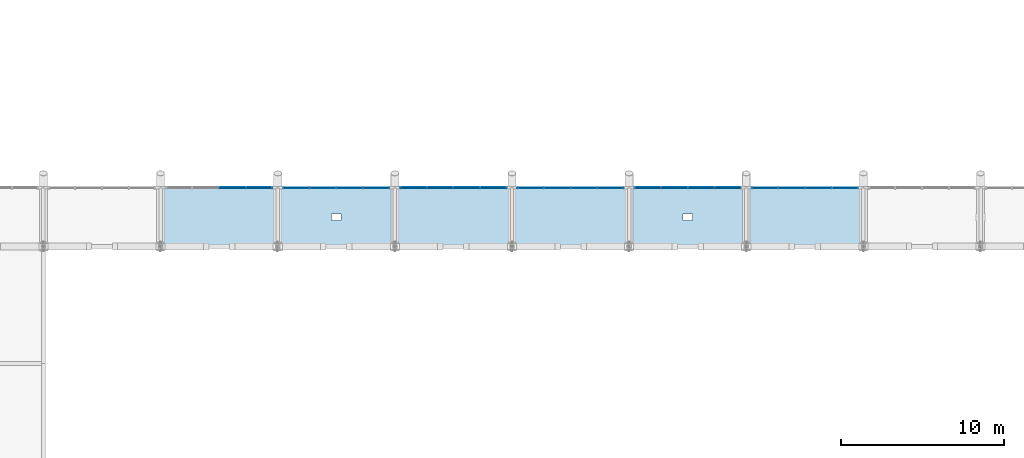
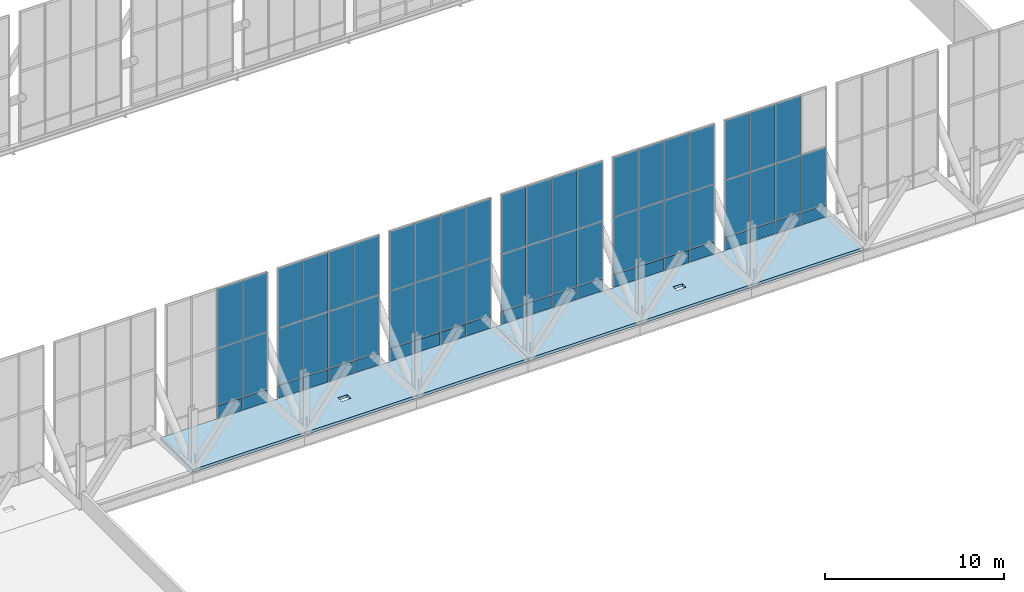
# One storey, part 76 of 102: 65 plates, 2 slabs, 6 elements without a shape of their own.
"""IFC4 building model written with IfcOpenShell, lengths in metres."""

from ifc_helpers import new_model, si_unit, direction, frame, origin, origin_2d, place, context, subcontext, project, spatial, polyline, rectangle, outline, extrude, material, layer, layer_set, type_object, element, aggregate, save


model = new_model("IFC4")

# Units and contexts
model_context = context("Model", 3, precision=1e-05, world=origin(), true_north=direction((0.0, 1.0)))
body_context = subcontext(model_context, "Body", "Model", "MODEL_VIEW")
ifc_project = project(units=[si_unit("LENGTHUNIT", "METRE"), si_unit("AREAUNIT", "SQUARE_METRE"), si_unit("VOLUMEUNIT", "CUBIC_METRE"), si_unit("PLANEANGLEUNIT", "RADIAN"), si_unit("MASSUNIT", "GRAM", prefix="KILO")], contexts=[model_context])

# Site, building, storey
site_placement = place(None, origin())
site = spatial("IfcSite", under=ifc_project, at=site_placement, CompositionType="ELEMENT")
building_placement = place(site_placement, origin())
building = spatial("IfcBuilding", under=site, at=building_placement, Name="Yarey Park Central Fire Station", CompositionType="ELEMENT")
storey_placement = place(building_placement, frame((0.0, 0.0, 6.0)))
storey = spatial("IfcBuildingStorey", under=building, at=storey_placement, Name="L02", CompositionType="ELEMENT", Elevation=6.0)

# Curtain wall, plates
ifc_material_1 = material(Name="Anodized Aluminium Frame", Category="aluminium")
curtain_wall_type = type_object("IfcCurtainWallType", Name="ENV_CW_CLER_9M", PredefinedType="NOTDEFINED", material=ifc_material_1)
curtain_wall_1_placement = place(storey_placement, origin())
curtain_wall_1 = element("IfcCurtainWall", 1, at=curtain_wall_1_placement, inside=storey, type_object=curtain_wall_type, Name="CW_V2_CLER_S_05", PredefinedType="NOTDEFINED")
ifc_material_2 = material(Name="Insulated Aluminium Spandrel Panel", Category="aluminium")
ifc_layer_1 = layer(ifc_material_2, 0.068115234375)
ifc_layer_set_1 = layer_set([ifc_layer_1], Name="Insulated Aluminium Spandrel Panel")
plate_type_1 = type_object("IfcPlateType", Name="ENV_PNL_SPN_02", PredefinedType="CURTAIN_PANEL", material=ifc_layer_set_1)
plate_1_placement = place(storey_placement, frame((87.532470703125, 61.199951171875, 0.04248046875), z_axis=(0.0, 0.0, 1.0), x_axis=(1.0, 0.0, 0.0)))
plate_1 = element("IfcPlate", 2, at=plate_1_placement, type_object=plate_type_1, Name="CW_V2_CLER_S_05_PNL01", PredefinedType="CURTAIN_PANEL", context=body_context, shape_type="SweptSolid", body=[
    extrude(rectangle(XDim=1.60498046875, YDim=0.068115234375, at=origin_2d()), origin(), (0.0, 0.0, 1.0), 0.840087890625),
])
plate_2_placement = place(storey_placement, frame((89.177490234375, 61.199951171875, 0.04248046875), z_axis=(0.0, 0.0, 1.0), x_axis=(1.0, 0.0, 0.0)))
plate_2 = element("IfcPlate", 3, at=plate_2_placement, type_object=plate_type_1, Name="CW_V2_CLER_S_05_PNL04", PredefinedType="CURTAIN_PANEL", context=body_context, shape_type="SweptSolid", body=[
    extrude(rectangle(XDim=1.60498046875, YDim=0.068115234375, at=origin_2d()), origin(), (0.0, 0.0, 1.0), 0.840087890625),
])
plate_3_placement = place(storey_placement, frame((90.822509765625, 61.199951171875, 0.04248046875), z_axis=(0.0, 0.0, 1.0), x_axis=(1.0, 0.0, 0.0)))
plate_3 = element("IfcPlate", 4, at=plate_3_placement, type_object=plate_type_1, Name="CW_V2_CLER_S_05_PNL07", PredefinedType="CURTAIN_PANEL", context=body_context, shape_type="SweptSolid", body=[
    extrude(rectangle(XDim=1.60498046875, YDim=0.068115234375, at=origin_2d()), origin(), (0.0, 0.0, 1.0), 0.840087890625),
])
plate_4_placement = place(storey_placement, frame((92.467529296875, 61.199951171875, 0.04248046875), z_axis=(0.0, 0.0, 1.0), x_axis=(1.0, 0.0, 0.0)))
plate_4 = element("IfcPlate", 5, at=plate_4_placement, type_object=plate_type_1, Name="CW_V2_CLER_S_05_PNL10", PredefinedType="CURTAIN_PANEL", context=body_context, shape_type="SweptSolid", body=[
    extrude(rectangle(XDim=1.60498046875, YDim=0.068115234375, at=origin_2d()), origin(), (0.0, 0.0, 1.0), 0.840087890625),
])

curtain_wall_2_placement = place(storey_placement, origin())
curtain_wall_2 = element("IfcCurtainWall", 6, at=curtain_wall_2_placement, inside=storey, type_object=curtain_wall_type, Name="CW_V2_CLER_S_07", PredefinedType="NOTDEFINED")
plate_5_placement = place(storey_placement, frame((101.9326171875, 61.199951171875, 0.04248046875), z_axis=(0.0, 0.0, 1.0), x_axis=(1.0, 0.0, 0.0)))
plate_5 = element("IfcPlate", 7, at=plate_5_placement, type_object=plate_type_1, Name="CW_V2_CLER_S_07_PNL01", PredefinedType="CURTAIN_PANEL", context=body_context, shape_type="SweptSolid", body=[
    extrude(rectangle(XDim=1.60498046875, YDim=0.068115234375, at=origin_2d()), origin(), (0.0, 0.0, 1.0), 0.840087890625),
])
plate_6_placement = place(storey_placement, frame((103.577392578125, 61.199951171875, 0.04248046875), z_axis=(0.0, 0.0, 1.0), x_axis=(1.0, 0.0, 0.0)))
plate_6 = element("IfcPlate", 8, at=plate_6_placement, type_object=plate_type_1, Name="CW_V2_CLER_S_07_PNL04", PredefinedType="CURTAIN_PANEL", context=body_context, shape_type="SweptSolid", body=[
    extrude(rectangle(XDim=1.60498046875, YDim=0.068115234375, at=origin_2d()), origin(), (0.0, 0.0, 1.0), 0.840087890625),
])
plate_7_placement = place(storey_placement, frame((105.222412109375, 61.199951171875, 0.04248046875), z_axis=(0.0, 0.0, 1.0), x_axis=(1.0, 0.0, 0.0)))
plate_7 = element("IfcPlate", 9, at=plate_7_placement, type_object=plate_type_1, Name="CW_V2_CLER_S_07_PNL07", PredefinedType="CURTAIN_PANEL", context=body_context, shape_type="SweptSolid", body=[
    extrude(rectangle(XDim=1.60498046875, YDim=0.068115234375, at=origin_2d()), origin(), (0.0, 0.0, 1.0), 0.840087890625),
])
plate_8_placement = place(storey_placement, frame((106.867431640625, 61.199951171875, 0.04248046875), z_axis=(0.0, 0.0, 1.0), x_axis=(1.0, 0.0, 0.0)))
plate_8 = element("IfcPlate", 10, at=plate_8_placement, type_object=plate_type_1, Name="CW_V2_CLER_S_07_PNL10", PredefinedType="CURTAIN_PANEL", context=body_context, shape_type="SweptSolid", body=[
    extrude(rectangle(XDim=1.60498046875, YDim=0.068115234375, at=origin_2d()), origin(), (0.0, 0.0, 1.0), 0.840087890625),
])

curtain_wall_3_placement = place(storey_placement, origin())
curtain_wall_3 = element("IfcCurtainWall", 11, at=curtain_wall_3_placement, inside=storey, type_object=curtain_wall_type, Name="CW_V2_CLER_S_09", PredefinedType="NOTDEFINED")
plate_9_placement = place(storey_placement, frame((116.33251953125, 61.199951171875, 0.04248046875), z_axis=(0.0, 0.0, 1.0), x_axis=(1.0, 0.0, 0.0)))
plate_9 = element("IfcPlate", 12, at=plate_9_placement, type_object=plate_type_1, Name="CW_V2_CLER_S_09_PNL01", PredefinedType="CURTAIN_PANEL", context=body_context, shape_type="SweptSolid", body=[
    extrude(rectangle(XDim=1.60498046875, YDim=0.068115234375, at=origin_2d()), origin(), (0.0, 0.0, 1.0), 0.840087890625),
])
plate_10_placement = place(storey_placement, frame((117.9775390625, 61.199951171875, 0.04248046875), z_axis=(0.0, 0.0, 1.0), x_axis=(1.0, 0.0, 0.0)))
plate_10 = element("IfcPlate", 13, at=plate_10_placement, type_object=plate_type_1, Name="CW_V2_CLER_S_09_PNL04", PredefinedType="CURTAIN_PANEL", context=body_context, shape_type="SweptSolid", body=[
    extrude(rectangle(XDim=1.60498046875, YDim=0.068115234375, at=origin_2d()), origin(), (0.0, 0.0, 1.0), 0.840087890625),
])
plate_11_placement = place(storey_placement, frame((119.62255859375, 61.199951171875, 0.04248046875), z_axis=(0.0, 0.0, 1.0), x_axis=(1.0, 0.0, 0.0)))
plate_11 = element("IfcPlate", 14, at=plate_11_placement, type_object=plate_type_1, Name="CW_V2_CLER_S_09_PNL07", PredefinedType="CURTAIN_PANEL", context=body_context, shape_type="SweptSolid", body=[
    extrude(rectangle(XDim=1.60498046875, YDim=0.068115234375, at=origin_2d()), origin(), (0.0, 0.0, 1.0), 0.840087890625),
])
plate_12_placement = place(storey_placement, frame((121.267578125, 61.199951171875, 0.04248046875), z_axis=(0.0, 0.0, 1.0), x_axis=(1.0, 0.0, 0.0)))
plate_12 = element("IfcPlate", 15, at=plate_12_placement, type_object=plate_type_1, Name="CW_V2_CLER_S_09_PNL10", PredefinedType="CURTAIN_PANEL", context=body_context, shape_type="SweptSolid", body=[
    extrude(rectangle(XDim=1.60498046875, YDim=0.068115234375, at=origin_2d()), origin(), (0.0, 0.0, 1.0), 0.840087890625),
])

curtain_wall_4_placement = place(storey_placement, origin())
curtain_wall_4 = element("IfcCurtainWall", 16, at=curtain_wall_4_placement, inside=storey, type_object=curtain_wall_type, Name="CW_V2_CLER_S_04", PredefinedType="NOTDEFINED")
ifc_layer_2 = layer(ifc_material_2, 0.087890625)
ifc_layer_set_2 = layer_set([ifc_layer_2], Name="Insulated Aluminium Spandrel Panel")
plate_type_2 = type_object("IfcPlateType", Name="ENV_PNL_SPN_04", PredefinedType="CURTAIN_PANEL", material=ifc_layer_set_2)
plate_13_placement = place(storey_placement, frame((83.62255859375, 61.199951171875, 0.04248046875), z_axis=(0.0, 0.0, 1.0), x_axis=(1.0, 0.0, 0.0)))
plate_13 = element("IfcPlate", 17, at=plate_13_placement, type_object=plate_type_2, Name="CW_V2_CLER_S_04_PNL07", PredefinedType="CURTAIN_PANEL", context=body_context, shape_type="SweptSolid", body=[
    extrude(rectangle(XDim=1.60498046875, YDim=0.087890625, at=origin_2d()), origin(), (0.0, 0.0, 1.0), 0.840087890625),
])
plate_14_placement = place(storey_placement, frame((85.267578125, 61.199951171875, 0.04248046875), z_axis=(0.0, 0.0, 1.0), x_axis=(1.0, 0.0, 0.0)))
plate_14 = element("IfcPlate", 18, at=plate_14_placement, type_object=plate_type_2, Name="CW_V2_CLER_S_04_PNL10", PredefinedType="CURTAIN_PANEL", context=body_context, shape_type="SweptSolid", body=[
    extrude(rectangle(XDim=1.60498046875, YDim=0.087890625, at=origin_2d()), origin(), (0.0, 0.0, 1.0), 0.840087890625),
])

curtain_wall_5_placement = place(storey_placement, origin())
curtain_wall_5 = element("IfcCurtainWall", 19, at=curtain_wall_5_placement, inside=storey, type_object=curtain_wall_type, Name="CW_V2_CLER_S_06", PredefinedType="NOTDEFINED")
plate_15_placement = place(storey_placement, frame((94.732421875, 61.199951171875, 0.04248046875), z_axis=(0.0, 0.0, 1.0), x_axis=(1.0, 0.0, 0.0)))
plate_15 = element("IfcPlate", 20, at=plate_15_placement, type_object=plate_type_2, Name="CW_V2_CLER_S_06_PNL01", PredefinedType="CURTAIN_PANEL", context=body_context, shape_type="SweptSolid", body=[
    extrude(rectangle(XDim=1.60498046875, YDim=0.087890625, at=origin_2d()), origin(), (0.0, 0.0, 1.0), 0.840087890625),
])
plate_16_placement = place(storey_placement, frame((96.37744140625, 61.199951171875, 0.04248046875), z_axis=(0.0, 0.0, 1.0), x_axis=(1.0, 0.0, 0.0)))
plate_16 = element("IfcPlate", 21, at=plate_16_placement, type_object=plate_type_2, Name="CW_V2_CLER_S_06_PNL04", PredefinedType="CURTAIN_PANEL", context=body_context, shape_type="SweptSolid", body=[
    extrude(rectangle(XDim=1.60498046875, YDim=0.087890625, at=origin_2d()), origin(), (0.0, 0.0, 1.0), 0.840087890625),
])
plate_17_placement = place(storey_placement, frame((98.0224609375, 61.199951171875, 0.04248046875), z_axis=(0.0, 0.0, 1.0), x_axis=(1.0, 0.0, 0.0)))
plate_17 = element("IfcPlate", 22, at=plate_17_placement, type_object=plate_type_2, Name="CW_V2_CLER_S_06_PNL07", PredefinedType="CURTAIN_PANEL", context=body_context, shape_type="SweptSolid", body=[
    extrude(rectangle(XDim=1.60498046875, YDim=0.087890625, at=origin_2d()), origin(), (0.0, 0.0, 1.0), 0.840087890625),
])
plate_18_placement = place(storey_placement, frame((99.66748046875, 61.199951171875, 0.04248046875), z_axis=(0.0, 0.0, 1.0), x_axis=(1.0, 0.0, 0.0)))
plate_18 = element("IfcPlate", 23, at=plate_18_placement, type_object=plate_type_2, Name="CW_V2_CLER_S_06_PNL10", PredefinedType="CURTAIN_PANEL", context=body_context, shape_type="SweptSolid", body=[
    extrude(rectangle(XDim=1.60498046875, YDim=0.087890625, at=origin_2d()), origin(), (0.0, 0.0, 1.0), 0.840087890625),
])

curtain_wall_6_placement = place(storey_placement, origin())
curtain_wall_6 = element("IfcCurtainWall", 24, at=curtain_wall_6_placement, inside=storey, type_object=curtain_wall_type, Name="CW_V2_CLER_S_08", PredefinedType="NOTDEFINED")
plate_19_placement = place(storey_placement, frame((109.132568359375, 61.199951171875, 0.04248046875), z_axis=(0.0, 0.0, 1.0), x_axis=(1.0, 0.0, 0.0)))
plate_19 = element("IfcPlate", 25, at=plate_19_placement, type_object=plate_type_2, Name="CW_V2_CLER_S_08_PNL01", PredefinedType="CURTAIN_PANEL", context=body_context, shape_type="SweptSolid", body=[
    extrude(rectangle(XDim=1.60498046875, YDim=0.087890625, at=origin_2d()), origin(), (0.0, 0.0, 1.0), 0.840087890625),
])
plate_20_placement = place(storey_placement, frame((110.777587890625, 61.199951171875, 0.04248046875), z_axis=(0.0, 0.0, 1.0), x_axis=(1.0, 0.0, 0.0)))
plate_20 = element("IfcPlate", 26, at=plate_20_placement, type_object=plate_type_2, Name="CW_V2_CLER_S_08_PNL04", PredefinedType="CURTAIN_PANEL", context=body_context, shape_type="SweptSolid", body=[
    extrude(rectangle(XDim=1.60498046875, YDim=0.087890625, at=origin_2d()), origin(), (0.0, 0.0, 1.0), 0.840087890625),
])
plate_21_placement = place(storey_placement, frame((112.422607421875, 61.199951171875, 0.04248046875), z_axis=(0.0, 0.0, 1.0), x_axis=(1.0, 0.0, 0.0)))
plate_21 = element("IfcPlate", 27, at=plate_21_placement, type_object=plate_type_2, Name="CW_V2_CLER_S_08_PNL07", PredefinedType="CURTAIN_PANEL", context=body_context, shape_type="SweptSolid", body=[
    extrude(rectangle(XDim=1.60498046875, YDim=0.087890625, at=origin_2d()), origin(), (0.0, 0.0, 1.0), 0.840087890625),
])
plate_22_placement = place(storey_placement, frame((114.0673828125, 61.199951171875, 0.04248046875), z_axis=(0.0, 0.0, 1.0), x_axis=(1.0, 0.0, 0.0)))
plate_22 = element("IfcPlate", 28, at=plate_22_placement, type_object=plate_type_2, Name="CW_V2_CLER_S_08_PNL10", PredefinedType="CURTAIN_PANEL", context=body_context, shape_type="SweptSolid", body=[
    extrude(rectangle(XDim=1.60498046875, YDim=0.087890625, at=origin_2d()), origin(), (0.0, 0.0, 1.0), 0.840087890625),
])

# Plate
ifc_material_3 = material(Name="Laminated Hurricane Low-E Glass", Category="glass")
ifc_layer_3 = layer(ifc_material_3, 0.031982421875)
ifc_layer_set_3 = layer_set([ifc_layer_3], Name="Laminated Hurricane Low-E Glass")
plate_type_3 = type_object("IfcPlateType", Name="ENV_PNL_VIS_02", PredefinedType="CURTAIN_PANEL", material=ifc_layer_set_3)
plate_23_placement = place(storey_placement, frame((87.532470703125, 61.199951171875, 0.91748046875), z_axis=(0.0, 0.0, 1.0), x_axis=(1.0, 0.0, 0.0)))
plate_23 = element("IfcPlate", 29, at=plate_23_placement, type_object=plate_type_3, Name="CW_V2_CLER_S_05_PNL02", PredefinedType="CURTAIN_PANEL", context=body_context, shape_type="SweptSolid", body=[
    extrude(rectangle(XDim=1.60498046875, YDim=0.031982421875, at=origin_2d()), origin(), (0.0, 0.0, 1.0), 3.87109375),
])

plate_24_placement = place(storey_placement, frame((87.532470703125, 61.199951171875, 4.82373046875), z_axis=(0.0, 0.0, 1.0), x_axis=(1.0, 0.0, 0.0)))
plate_24 = element("IfcPlate", 30, at=plate_24_placement, type_object=plate_type_3, Name="CW_V2_CLER_S_05_PNL03", PredefinedType="CURTAIN_PANEL", context=body_context, shape_type="SweptSolid", body=[
    extrude(rectangle(XDim=1.60498046875, YDim=0.031982421875, at=origin_2d()), origin(), (0.0, 0.0, 1.0), 4.033935546875),
])

plate_25_placement = place(storey_placement, frame((89.177490234375, 61.199951171875, 0.91748046875), z_axis=(0.0, 0.0, 1.0), x_axis=(1.0, 0.0, 0.0)))
plate_25 = element("IfcPlate", 31, at=plate_25_placement, type_object=plate_type_3, Name="CW_V2_CLER_S_05_PNL05", PredefinedType="CURTAIN_PANEL", context=body_context, shape_type="SweptSolid", body=[
    extrude(rectangle(XDim=1.60498046875, YDim=0.031982421875, at=origin_2d()), origin(), (0.0, 0.0, 1.0), 3.87109375),
])

plate_26_placement = place(storey_placement, frame((89.177490234375, 61.199951171875, 4.82373046875), z_axis=(0.0, 0.0, 1.0), x_axis=(1.0, 0.0, 0.0)))
plate_26 = element("IfcPlate", 32, at=plate_26_placement, type_object=plate_type_3, Name="CW_V2_CLER_S_05_PNL06", PredefinedType="CURTAIN_PANEL", context=body_context, shape_type="SweptSolid", body=[
    extrude(rectangle(XDim=1.60498046875, YDim=0.031982421875, at=origin_2d()), origin(), (0.0, 0.0, 1.0), 4.033935546875),
])

plate_27_placement = place(storey_placement, frame((90.822509765625, 61.199951171875, 0.91748046875), z_axis=(0.0, 0.0, 1.0), x_axis=(1.0, 0.0, 0.0)))
plate_27 = element("IfcPlate", 33, at=plate_27_placement, type_object=plate_type_3, Name="CW_V2_CLER_S_05_PNL08", PredefinedType="CURTAIN_PANEL", context=body_context, shape_type="SweptSolid", body=[
    extrude(rectangle(XDim=1.60498046875, YDim=0.031982421875, at=origin_2d()), origin(), (0.0, 0.0, 1.0), 3.87109375),
])

plate_28_placement = place(storey_placement, frame((90.822509765625, 61.199951171875, 4.82373046875), z_axis=(0.0, 0.0, 1.0), x_axis=(1.0, 0.0, 0.0)))
plate_28 = element("IfcPlate", 34, at=plate_28_placement, type_object=plate_type_3, Name="CW_V2_CLER_S_05_PNL09", PredefinedType="CURTAIN_PANEL", context=body_context, shape_type="SweptSolid", body=[
    extrude(rectangle(XDim=1.60498046875, YDim=0.031982421875, at=origin_2d()), origin(), (0.0, 0.0, 1.0), 4.033935546875),
])

plate_29_placement = place(storey_placement, frame((92.467529296875, 61.199951171875, 0.91748046875), z_axis=(0.0, 0.0, 1.0), x_axis=(1.0, 0.0, 0.0)))
plate_29 = element("IfcPlate", 35, at=plate_29_placement, type_object=plate_type_3, Name="CW_V2_CLER_S_05_PNL11", PredefinedType="CURTAIN_PANEL", context=body_context, shape_type="SweptSolid", body=[
    extrude(rectangle(XDim=1.60498046875, YDim=0.031982421875, at=origin_2d()), origin(), (0.0, 0.0, 1.0), 3.87109375),
])

plate_30_placement = place(storey_placement, frame((92.467529296875, 61.199951171875, 4.82373046875), z_axis=(0.0, 0.0, 1.0), x_axis=(1.0, 0.0, 0.0)))
plate_30 = element("IfcPlate", 36, at=plate_30_placement, type_object=plate_type_3, Name="CW_V2_CLER_S_05_PNL12", PredefinedType="CURTAIN_PANEL", context=body_context, shape_type="SweptSolid", body=[
    extrude(rectangle(XDim=1.60498046875, YDim=0.031982421875, at=origin_2d()), origin(), (0.0, 0.0, 1.0), 4.033935546875),
])

aggregate(curtain_wall_1, [plate_1, plate_23, plate_24, plate_2, plate_25, plate_26, plate_3, plate_27, plate_28, plate_4, plate_29, plate_30])

plate_31_placement = place(storey_placement, frame((101.9326171875, 61.199951171875, 0.91748046875), z_axis=(0.0, 0.0, 1.0), x_axis=(1.0, 0.0, 0.0)))
plate_31 = element("IfcPlate", 37, at=plate_31_placement, type_object=plate_type_3, Name="CW_V2_CLER_S_07_PNL02", PredefinedType="CURTAIN_PANEL", context=body_context, shape_type="SweptSolid", body=[
    extrude(rectangle(XDim=1.60498046875, YDim=0.031982421875, at=origin_2d()), origin(), (0.0, 0.0, 1.0), 3.87109375),
])

plate_32_placement = place(storey_placement, frame((101.9326171875, 61.199951171875, 4.82373046875), z_axis=(0.0, 0.0, 1.0), x_axis=(1.0, 0.0, 0.0)))
plate_32 = element("IfcPlate", 38, at=plate_32_placement, type_object=plate_type_3, Name="CW_V2_CLER_S_07_PNL03", PredefinedType="CURTAIN_PANEL", context=body_context, shape_type="SweptSolid", body=[
    extrude(rectangle(XDim=1.60498046875, YDim=0.031982421875, at=origin_2d()), origin(), (0.0, 0.0, 1.0), 4.033935546875),
])

plate_33_placement = place(storey_placement, frame((103.577392578125, 61.199951171875, 0.91748046875), z_axis=(0.0, 0.0, 1.0), x_axis=(1.0, 0.0, 0.0)))
plate_33 = element("IfcPlate", 39, at=plate_33_placement, type_object=plate_type_3, Name="CW_V2_CLER_S_07_PNL05", PredefinedType="CURTAIN_PANEL", context=body_context, shape_type="SweptSolid", body=[
    extrude(rectangle(XDim=1.60498046875, YDim=0.031982421875, at=origin_2d()), origin(), (0.0, 0.0, 1.0), 3.87109375),
])

plate_34_placement = place(storey_placement, frame((103.577392578125, 61.199951171875, 4.82373046875), z_axis=(0.0, 0.0, 1.0), x_axis=(1.0, 0.0, 0.0)))
plate_34 = element("IfcPlate", 40, at=plate_34_placement, type_object=plate_type_3, Name="CW_V2_CLER_S_07_PNL06", PredefinedType="CURTAIN_PANEL", context=body_context, shape_type="SweptSolid", body=[
    extrude(rectangle(XDim=1.60498046875, YDim=0.031982421875, at=origin_2d()), origin(), (0.0, 0.0, 1.0), 4.033935546875),
])

plate_35_placement = place(storey_placement, frame((105.222412109375, 61.199951171875, 0.91748046875), z_axis=(0.0, 0.0, 1.0), x_axis=(1.0, 0.0, 0.0)))
plate_35 = element("IfcPlate", 41, at=plate_35_placement, type_object=plate_type_3, Name="CW_V2_CLER_S_07_PNL08", PredefinedType="CURTAIN_PANEL", context=body_context, shape_type="SweptSolid", body=[
    extrude(rectangle(XDim=1.60498046875, YDim=0.031982421875, at=origin_2d()), origin(), (0.0, 0.0, 1.0), 3.87109375),
])

plate_36_placement = place(storey_placement, frame((105.222412109375, 61.199951171875, 4.82373046875), z_axis=(0.0, 0.0, 1.0), x_axis=(1.0, 0.0, 0.0)))
plate_36 = element("IfcPlate", 42, at=plate_36_placement, type_object=plate_type_3, Name="CW_V2_CLER_S_07_PNL09", PredefinedType="CURTAIN_PANEL", context=body_context, shape_type="SweptSolid", body=[
    extrude(rectangle(XDim=1.60498046875, YDim=0.031982421875, at=origin_2d()), origin(), (0.0, 0.0, 1.0), 4.033935546875),
])

plate_37_placement = place(storey_placement, frame((106.867431640625, 61.199951171875, 0.91748046875), z_axis=(0.0, 0.0, 1.0), x_axis=(1.0, 0.0, 0.0)))
plate_37 = element("IfcPlate", 43, at=plate_37_placement, type_object=plate_type_3, Name="CW_V2_CLER_S_07_PNL11", PredefinedType="CURTAIN_PANEL", context=body_context, shape_type="SweptSolid", body=[
    extrude(rectangle(XDim=1.60498046875, YDim=0.031982421875, at=origin_2d()), origin(), (0.0, 0.0, 1.0), 3.87109375),
])

plate_38_placement = place(storey_placement, frame((106.867431640625, 61.199951171875, 4.82373046875), z_axis=(0.0, 0.0, 1.0), x_axis=(1.0, 0.0, 0.0)))
plate_38 = element("IfcPlate", 44, at=plate_38_placement, type_object=plate_type_3, Name="CW_V2_CLER_S_07_PNL12", PredefinedType="CURTAIN_PANEL", context=body_context, shape_type="SweptSolid", body=[
    extrude(rectangle(XDim=1.60498046875, YDim=0.031982421875, at=origin_2d()), origin(), (0.0, 0.0, 1.0), 4.033935546875),
])

aggregate(curtain_wall_2, [plate_5, plate_31, plate_32, plate_6, plate_33, plate_34, plate_7, plate_35, plate_36, plate_8, plate_37, plate_38])

plate_39_placement = place(storey_placement, frame((116.33251953125, 61.199951171875, 0.91748046875), z_axis=(0.0, 0.0, 1.0), x_axis=(1.0, 0.0, 0.0)))
plate_39 = element("IfcPlate", 45, at=plate_39_placement, type_object=plate_type_3, Name="CW_V2_CLER_S_09_PNL02", PredefinedType="CURTAIN_PANEL", context=body_context, shape_type="SweptSolid", body=[
    extrude(rectangle(XDim=1.60498046875, YDim=0.031982421875, at=origin_2d()), origin(), (0.0, 0.0, 1.0), 3.87109375),
])

plate_40_placement = place(storey_placement, frame((116.33251953125, 61.199951171875, 4.82373046875), z_axis=(0.0, 0.0, 1.0), x_axis=(1.0, 0.0, 0.0)))
plate_40 = element("IfcPlate", 46, at=plate_40_placement, type_object=plate_type_3, Name="CW_V2_CLER_S_09_PNL03", PredefinedType="CURTAIN_PANEL", context=body_context, shape_type="SweptSolid", body=[
    extrude(rectangle(XDim=1.60498046875, YDim=0.031982421875, at=origin_2d()), origin(), (0.0, 0.0, 1.0), 4.033935546875),
])

plate_41_placement = place(storey_placement, frame((117.9775390625, 61.199951171875, 0.91748046875), z_axis=(0.0, 0.0, 1.0), x_axis=(1.0, 0.0, 0.0)))
plate_41 = element("IfcPlate", 47, at=plate_41_placement, type_object=plate_type_3, Name="CW_V2_CLER_S_09_PNL05", PredefinedType="CURTAIN_PANEL", context=body_context, shape_type="SweptSolid", body=[
    extrude(rectangle(XDim=1.60498046875, YDim=0.031982421875, at=origin_2d()), origin(), (0.0, 0.0, 1.0), 3.87109375),
])

plate_42_placement = place(storey_placement, frame((117.9775390625, 61.199951171875, 4.82373046875), z_axis=(0.0, 0.0, 1.0), x_axis=(1.0, 0.0, 0.0)))
plate_42 = element("IfcPlate", 48, at=plate_42_placement, type_object=plate_type_3, Name="CW_V2_CLER_S_09_PNL06", PredefinedType="CURTAIN_PANEL", context=body_context, shape_type="SweptSolid", body=[
    extrude(rectangle(XDim=1.60498046875, YDim=0.031982421875, at=origin_2d()), origin(), (0.0, 0.0, 1.0), 4.033935546875),
])

plate_43_placement = place(storey_placement, frame((119.62255859375, 61.199951171875, 0.91748046875), z_axis=(0.0, 0.0, 1.0), x_axis=(1.0, 0.0, 0.0)))
plate_43 = element("IfcPlate", 49, at=plate_43_placement, type_object=plate_type_3, Name="CW_V2_CLER_S_09_PNL08", PredefinedType="CURTAIN_PANEL", context=body_context, shape_type="SweptSolid", body=[
    extrude(rectangle(XDim=1.60498046875, YDim=0.031982421875, at=origin_2d()), origin(), (0.0, 0.0, 1.0), 3.87109375),
])

plate_44_placement = place(storey_placement, frame((119.62255859375, 61.199951171875, 4.82373046875), z_axis=(0.0, 0.0, 1.0), x_axis=(1.0, 0.0, 0.0)))
plate_44 = element("IfcPlate", 50, at=plate_44_placement, type_object=plate_type_3, Name="CW_V2_CLER_S_09_PNL09", PredefinedType="CURTAIN_PANEL", context=body_context, shape_type="SweptSolid", body=[
    extrude(rectangle(XDim=1.60498046875, YDim=0.031982421875, at=origin_2d()), origin(), (0.0, 0.0, 1.0), 4.033935546875),
])

plate_45_placement = place(storey_placement, frame((121.267578125, 61.199951171875, 0.91748046875), z_axis=(0.0, 0.0, 1.0), x_axis=(1.0, 0.0, 0.0)))
plate_45 = element("IfcPlate", 51, at=plate_45_placement, type_object=plate_type_3, Name="CW_V2_CLER_S_09_PNL11", PredefinedType="CURTAIN_PANEL", context=body_context, shape_type="SweptSolid", body=[
    extrude(rectangle(XDim=1.60498046875, YDim=0.031982421875, at=origin_2d()), origin(), (0.0, 0.0, 1.0), 3.87109375),
])

aggregate(curtain_wall_3, [plate_9, plate_39, plate_40, plate_10, plate_41, plate_42, plate_11, plate_43, plate_44, plate_12, plate_45])

ifc_layer_4 = layer(ifc_material_3, 0.0458984375)
ifc_layer_set_4 = layer_set([ifc_layer_4], Name="Laminated Hurricane Low-E Glass")
plate_type_4 = type_object("IfcPlateType", Name="ENV_PNL_VIS_04", PredefinedType="CURTAIN_PANEL", material=ifc_layer_set_4)
plate_46_placement = place(storey_placement, frame((83.62255859375, 61.199951171875, 0.91748046875), z_axis=(0.0, 0.0, 1.0), x_axis=(1.0, 0.0, 0.0)))
plate_46 = element("IfcPlate", 52, at=plate_46_placement, type_object=plate_type_4, Name="CW_V2_CLER_S_04_PNL08", PredefinedType="CURTAIN_PANEL", context=body_context, shape_type="SweptSolid", body=[
    extrude(rectangle(XDim=1.60498046875, YDim=0.0458984375, at=origin_2d()), origin(), (0.0, 0.0, 1.0), 3.87109375),
])

plate_47_placement = place(storey_placement, frame((83.62255859375, 61.199951171875, 4.82373046875), z_axis=(0.0, 0.0, 1.0), x_axis=(1.0, 0.0, 0.0)))
plate_47 = element("IfcPlate", 53, at=plate_47_placement, type_object=plate_type_4, Name="CW_V2_CLER_S_04_PNL09", PredefinedType="CURTAIN_PANEL", context=body_context, shape_type="SweptSolid", body=[
    extrude(rectangle(XDim=1.60498046875, YDim=0.0458984375, at=origin_2d()), origin(), (0.0, 0.0, 1.0), 4.033935546875),
])

plate_48_placement = place(storey_placement, frame((85.267578125, 61.199951171875, 0.91748046875), z_axis=(0.0, 0.0, 1.0), x_axis=(1.0, 0.0, 0.0)))
plate_48 = element("IfcPlate", 54, at=plate_48_placement, type_object=plate_type_4, Name="CW_V2_CLER_S_04_PNL11", PredefinedType="CURTAIN_PANEL", context=body_context, shape_type="SweptSolid", body=[
    extrude(rectangle(XDim=1.60498046875, YDim=0.0458984375, at=origin_2d()), origin(), (0.0, 0.0, 1.0), 3.87109375),
])

plate_49_placement = place(storey_placement, frame((85.267578125, 61.199951171875, 4.82373046875), z_axis=(0.0, 0.0, 1.0), x_axis=(1.0, 0.0, 0.0)))
plate_49 = element("IfcPlate", 55, at=plate_49_placement, type_object=plate_type_4, Name="CW_V2_CLER_S_04_PNL12", PredefinedType="CURTAIN_PANEL", context=body_context, shape_type="SweptSolid", body=[
    extrude(rectangle(XDim=1.60498046875, YDim=0.0458984375, at=origin_2d()), origin(), (0.0, 0.0, 1.0), 4.033935546875),
])

aggregate(curtain_wall_4, [plate_13, plate_46, plate_47, plate_14, plate_48, plate_49])

plate_50_placement = place(storey_placement, frame((94.732421875, 61.199951171875, 0.91748046875), z_axis=(0.0, 0.0, 1.0), x_axis=(1.0, 0.0, 0.0)))
plate_50 = element("IfcPlate", 56, at=plate_50_placement, type_object=plate_type_4, Name="CW_V2_CLER_S_06_PNL02", PredefinedType="CURTAIN_PANEL", context=body_context, shape_type="SweptSolid", body=[
    extrude(rectangle(XDim=1.60498046875, YDim=0.0458984375, at=origin_2d()), origin(), (0.0, 0.0, 1.0), 3.87109375),
])

plate_51_placement = place(storey_placement, frame((94.732421875, 61.199951171875, 4.82373046875), z_axis=(0.0, 0.0, 1.0), x_axis=(1.0, 0.0, 0.0)))
plate_51 = element("IfcPlate", 57, at=plate_51_placement, type_object=plate_type_4, Name="CW_V2_CLER_S_06_PNL03", PredefinedType="CURTAIN_PANEL", context=body_context, shape_type="SweptSolid", body=[
    extrude(rectangle(XDim=1.60498046875, YDim=0.0458984375, at=origin_2d()), origin(), (0.0, 0.0, 1.0), 4.033935546875),
])

plate_52_placement = place(storey_placement, frame((96.37744140625, 61.199951171875, 0.91748046875), z_axis=(0.0, 0.0, 1.0), x_axis=(1.0, 0.0, 0.0)))
plate_52 = element("IfcPlate", 58, at=plate_52_placement, type_object=plate_type_4, Name="CW_V2_CLER_S_06_PNL05", PredefinedType="CURTAIN_PANEL", context=body_context, shape_type="SweptSolid", body=[
    extrude(rectangle(XDim=1.60498046875, YDim=0.0458984375, at=origin_2d()), origin(), (0.0, 0.0, 1.0), 3.87109375),
])

plate_53_placement = place(storey_placement, frame((96.37744140625, 61.199951171875, 4.82373046875), z_axis=(0.0, 0.0, 1.0), x_axis=(1.0, 0.0, 0.0)))
plate_53 = element("IfcPlate", 59, at=plate_53_placement, type_object=plate_type_4, Name="CW_V2_CLER_S_06_PNL06", PredefinedType="CURTAIN_PANEL", context=body_context, shape_type="SweptSolid", body=[
    extrude(rectangle(XDim=1.60498046875, YDim=0.0458984375, at=origin_2d()), origin(), (0.0, 0.0, 1.0), 4.033935546875),
])

plate_54_placement = place(storey_placement, frame((98.0224609375, 61.199951171875, 0.91748046875), z_axis=(0.0, 0.0, 1.0), x_axis=(1.0, 0.0, 0.0)))
plate_54 = element("IfcPlate", 60, at=plate_54_placement, type_object=plate_type_4, Name="CW_V2_CLER_S_06_PNL08", PredefinedType="CURTAIN_PANEL", context=body_context, shape_type="SweptSolid", body=[
    extrude(rectangle(XDim=1.60498046875, YDim=0.0458984375, at=origin_2d()), origin(), (0.0, 0.0, 1.0), 3.87109375),
])

plate_55_placement = place(storey_placement, frame((98.0224609375, 61.199951171875, 4.82373046875), z_axis=(0.0, 0.0, 1.0), x_axis=(1.0, 0.0, 0.0)))
plate_55 = element("IfcPlate", 61, at=plate_55_placement, type_object=plate_type_4, Name="CW_V2_CLER_S_06_PNL09", PredefinedType="CURTAIN_PANEL", context=body_context, shape_type="SweptSolid", body=[
    extrude(rectangle(XDim=1.60498046875, YDim=0.0458984375, at=origin_2d()), origin(), (0.0, 0.0, 1.0), 4.033935546875),
])

plate_56_placement = place(storey_placement, frame((99.66748046875, 61.199951171875, 0.91748046875), z_axis=(0.0, 0.0, 1.0), x_axis=(1.0, 0.0, 0.0)))
plate_56 = element("IfcPlate", 62, at=plate_56_placement, type_object=plate_type_4, Name="CW_V2_CLER_S_06_PNL11", PredefinedType="CURTAIN_PANEL", context=body_context, shape_type="SweptSolid", body=[
    extrude(rectangle(XDim=1.60498046875, YDim=0.0458984375, at=origin_2d()), origin(), (0.0, 0.0, 1.0), 3.87109375),
])

plate_57_placement = place(storey_placement, frame((99.66748046875, 61.199951171875, 4.82373046875), z_axis=(0.0, 0.0, 1.0), x_axis=(1.0, 0.0, 0.0)))
plate_57 = element("IfcPlate", 63, at=plate_57_placement, type_object=plate_type_4, Name="CW_V2_CLER_S_06_PNL12", PredefinedType="CURTAIN_PANEL", context=body_context, shape_type="SweptSolid", body=[
    extrude(rectangle(XDim=1.60498046875, YDim=0.0458984375, at=origin_2d()), origin(), (0.0, 0.0, 1.0), 4.033935546875),
])

aggregate(curtain_wall_5, [plate_15, plate_50, plate_51, plate_16, plate_52, plate_53, plate_17, plate_54, plate_55, plate_18, plate_56, plate_57])

plate_58_placement = place(storey_placement, frame((109.132568359375, 61.199951171875, 0.91748046875), z_axis=(0.0, 0.0, 1.0), x_axis=(1.0, 0.0, 0.0)))
plate_58 = element("IfcPlate", 64, at=plate_58_placement, type_object=plate_type_4, Name="CW_V2_CLER_S_08_PNL02", PredefinedType="CURTAIN_PANEL", context=body_context, shape_type="SweptSolid", body=[
    extrude(rectangle(XDim=1.60498046875, YDim=0.0458984375, at=origin_2d()), origin(), (0.0, 0.0, 1.0), 3.87109375),
])

plate_59_placement = place(storey_placement, frame((109.132568359375, 61.199951171875, 4.82373046875), z_axis=(0.0, 0.0, 1.0), x_axis=(1.0, 0.0, 0.0)))
plate_59 = element("IfcPlate", 65, at=plate_59_placement, type_object=plate_type_4, Name="CW_V2_CLER_S_08_PNL03", PredefinedType="CURTAIN_PANEL", context=body_context, shape_type="SweptSolid", body=[
    extrude(rectangle(XDim=1.60498046875, YDim=0.0458984375, at=origin_2d()), origin(), (0.0, 0.0, 1.0), 4.033935546875),
])

plate_60_placement = place(storey_placement, frame((110.777587890625, 61.199951171875, 0.91748046875), z_axis=(0.0, 0.0, 1.0), x_axis=(1.0, 0.0, 0.0)))
plate_60 = element("IfcPlate", 66, at=plate_60_placement, type_object=plate_type_4, Name="CW_V2_CLER_S_08_PNL05", PredefinedType="CURTAIN_PANEL", context=body_context, shape_type="SweptSolid", body=[
    extrude(rectangle(XDim=1.60498046875, YDim=0.0458984375, at=origin_2d()), origin(), (0.0, 0.0, 1.0), 3.87109375),
])

plate_61_placement = place(storey_placement, frame((110.777587890625, 61.199951171875, 4.82373046875), z_axis=(0.0, 0.0, 1.0), x_axis=(1.0, 0.0, 0.0)))
plate_61 = element("IfcPlate", 67, at=plate_61_placement, type_object=plate_type_4, Name="CW_V2_CLER_S_08_PNL06", PredefinedType="CURTAIN_PANEL", context=body_context, shape_type="SweptSolid", body=[
    extrude(rectangle(XDim=1.60498046875, YDim=0.0458984375, at=origin_2d()), origin(), (0.0, 0.0, 1.0), 4.033935546875),
])

plate_62_placement = place(storey_placement, frame((112.422607421875, 61.199951171875, 0.91748046875), z_axis=(0.0, 0.0, 1.0), x_axis=(1.0, 0.0, 0.0)))
plate_62 = element("IfcPlate", 68, at=plate_62_placement, type_object=plate_type_4, Name="CW_V2_CLER_S_08_PNL08", PredefinedType="CURTAIN_PANEL", context=body_context, shape_type="SweptSolid", body=[
    extrude(rectangle(XDim=1.60498046875, YDim=0.0458984375, at=origin_2d()), origin(), (0.0, 0.0, 1.0), 3.87109375),
])

plate_63_placement = place(storey_placement, frame((112.422607421875, 61.199951171875, 4.82373046875), z_axis=(0.0, 0.0, 1.0), x_axis=(1.0, 0.0, 0.0)))
plate_63 = element("IfcPlate", 69, at=plate_63_placement, type_object=plate_type_4, Name="CW_V2_CLER_S_08_PNL09", PredefinedType="CURTAIN_PANEL", context=body_context, shape_type="SweptSolid", body=[
    extrude(rectangle(XDim=1.60498046875, YDim=0.0458984375, at=origin_2d()), origin(), (0.0, 0.0, 1.0), 4.033935546875),
])

plate_64_placement = place(storey_placement, frame((114.0673828125, 61.199951171875, 0.91748046875), z_axis=(0.0, 0.0, 1.0), x_axis=(1.0, 0.0, 0.0)))
plate_64 = element("IfcPlate", 70, at=plate_64_placement, type_object=plate_type_4, Name="CW_V2_CLER_S_08_PNL11", PredefinedType="CURTAIN_PANEL", context=body_context, shape_type="SweptSolid", body=[
    extrude(rectangle(XDim=1.60498046875, YDim=0.0458984375, at=origin_2d()), origin(), (0.0, 0.0, 1.0), 3.87109375),
])

plate_65_placement = place(storey_placement, frame((114.0673828125, 61.199951171875, 4.82373046875), z_axis=(0.0, 0.0, 1.0), x_axis=(1.0, 0.0, 0.0)))
plate_65 = element("IfcPlate", 71, at=plate_65_placement, type_object=plate_type_4, Name="CW_V2_CLER_S_08_PNL12", PredefinedType="CURTAIN_PANEL", context=body_context, shape_type="SweptSolid", body=[
    extrude(rectangle(XDim=1.60498046875, YDim=0.0458984375, at=origin_2d()), origin(), (0.0, 0.0, 1.0), 4.033935546875),
])

aggregate(curtain_wall_6, [plate_19, plate_58, plate_59, plate_20, plate_60, plate_61, plate_21, plate_62, plate_63, plate_22, plate_64, plate_65])

# Slabs
ifc_material_4 = material(Name="Concrete C40/50", Category="concrete")
ifc_layer_5 = layer(ifc_material_4, 0.195068359375)
ifc_layer_set_5 = layer_set([ifc_layer_5], Name="Concrete C40/50")
slab_type = type_object("IfcSlabType", Name="STR_ROOF_FLAT195", PredefinedType="ROOF", material=ifc_layer_set_5)
slab_1_placement = place(storey_placement, frame((0.0, 0.0, -0.195068359375)))
element("IfcSlab", 72, at=slab_1_placement, inside=storey, type_object=slab_type, Name="ROOF_L02_V2_EAVE_S2", PredefinedType="ROOF", context=body_context, shape_type="SweptSolid", body=[
    extrude(outline(polyline([(79.199951171875, 57.60009765625), (100.800048828125, 57.60009765625), (100.800048828125, 61.199951171875), (79.199951171875, 61.199951171875), (79.199951171875, 57.60009765625)]), holes=[polyline([(89.699951171875, 59.199951171875), (90.300048828125, 59.199951171875), (90.300048828125, 59.60009765625), (89.699951171875, 59.60009765625), (89.699951171875, 59.199951171875)])]), origin(), (0.0, 0.0, 1.0), 0.195068359375),
])
slab_2_placement = place(storey_placement, frame((0.0, 0.0, -0.195068359375)))
element("IfcSlab", 73, at=slab_2_placement, inside=storey, type_object=slab_type, Name="ROOF_L02_V2_EAVE_S3", PredefinedType="ROOF", context=body_context, shape_type="SweptSolid", body=[
    extrude(outline(polyline([(100.800048828125, 57.60009765625), (122.39990234375, 57.60009765625), (122.39990234375, 61.199951171875), (100.800048828125, 61.199951171875), (100.800048828125, 57.60009765625)]), holes=[polyline([(111.300048828125, 59.199951171875), (111.89990234375, 59.199951171875), (111.89990234375, 59.60009765625), (111.300048828125, 59.60009765625), (111.300048828125, 59.199951171875)])]), origin(), (0.0, 0.0, 1.0), 0.195068359375),
])

save(model, "model.ifc")
